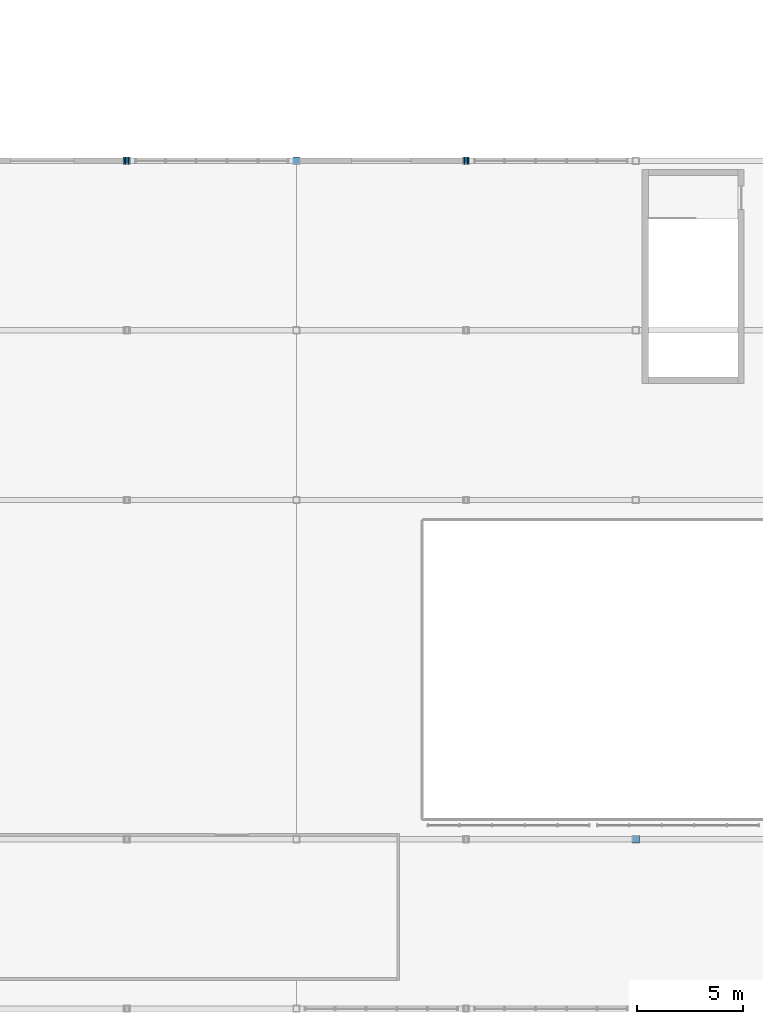
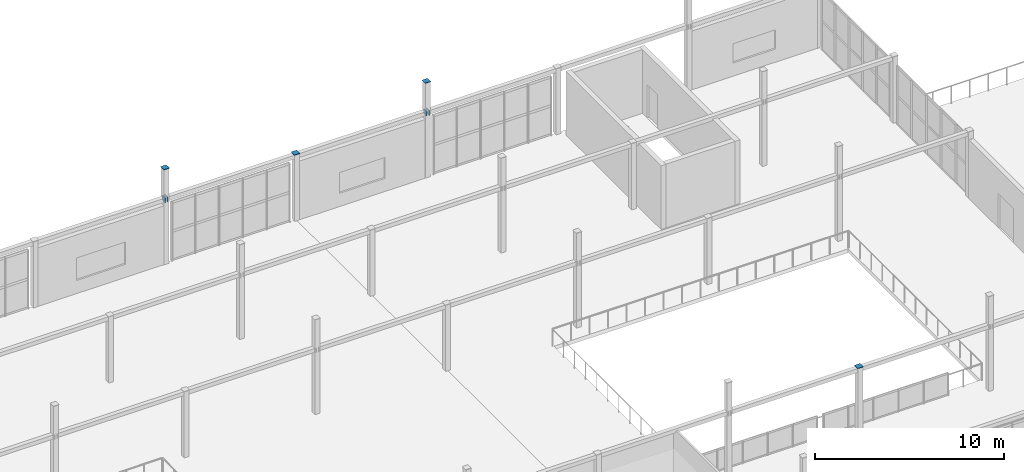
# One storey, part 68 of 83: 8 discrete accessories.
"""IFC4 building model written with IfcOpenShell, lengths in metres."""

from ifc_helpers import new_model, si_unit, direction, frame, origin, origin_2d, place, context, subcontext, project, spatial, rectangle, extrude, material, type_object, element, save


model = new_model("IFC4")

# Units and contexts
model_context = context("Model", 3, precision=1e-05, world=origin(), true_north=direction((0.0, 1.0)))
body_context = subcontext(model_context, "Body", "Model", "MODEL_VIEW")
ifc_project = project(units=[si_unit("LENGTHUNIT", "METRE"), si_unit("AREAUNIT", "SQUARE_METRE"), si_unit("VOLUMEUNIT", "CUBIC_METRE"), si_unit("PLANEANGLEUNIT", "RADIAN"), si_unit("MASSUNIT", "GRAM", prefix="KILO")], contexts=[model_context])

# Site, building, storey
site_placement = place(None, origin())
site = spatial("IfcSite", under=ifc_project, at=site_placement, CompositionType="ELEMENT")
building_placement = place(site_placement, origin())
building = spatial("IfcBuilding", under=site, at=building_placement, Name="Drelvath Fold Interchange", CompositionType="ELEMENT")
storey_placement = place(building_placement, frame((0.0, 0.0, 11.199951171875)))
storey = spatial("IfcBuildingStorey", under=building, at=storey_placement, Name="L02", CompositionType="ELEMENT", Elevation=11.199951171875)

# Discrete accessories
ifc_material = material(Name="Steel ASTM A572 Grade 50", Category="steel")
discrete_accessory_type = type_object("IfcDiscreteAccessoryType", Name="AC-CAP380", PredefinedType="BRACKET", material=ifc_material)
for number, where, z_axis, x_axis, name in (
    (1, (44.0, 99.0, 6.14013671875), (0.0, 0.0, 1.0), (1.0, 0.0, 0.0), "Welded hollow column end cap 64"),
    (2, (52.0, 99.0, 4.2900390625), (0.0, 0.0, 1.0), (1.0, 0.0, 0.0), "Welded hollow column end cap 71"),
    (3, (60.0, 99.0, 6.14013671875), (0.0, 0.0, 1.0), (1.0, 0.0, 0.0), "Welded hollow column end cap 76"),
    (4, (68.0, 67.0, 4.2900390625), (0.0, 0.0, 1.0), (1.0, 0.0, 0.0), "Welded hollow column end cap 78"),
):
    element("IfcDiscreteAccessory", number, at=place(storey_placement, frame(where, z_axis=z_axis, x_axis=x_axis)), inside=storey, type_object=discrete_accessory_type, Name=name, PredefinedType="BRACKET", context=body_context, shape_type="SweptSolid", body=[
        extrude(rectangle(XDim=0.344970703125, YDim=0.344970703125, at=origin_2d()), origin(), (0.0, 0.0, 1.0), 0.030029296875),
    ])
for number, where, z_axis, x_axis, name in (
    (5, (43.925048828125, 99.0, 3.9931640625), (0.0, 0.0, 1.0), (1.0, 0.0, 0.0), "Welded hollow member end cap 391"),
    (6, (44.074951171875, 99.0, 3.9931640625), (0.0, 0.0, 1.0), (1.0, 0.0, 0.0), "Welded hollow member end cap 412"),
    (7, (59.925048828125, 99.0, 3.9931640625), (0.0, 0.0, 1.0), (1.0, 0.0, 0.0), "Welded hollow member end cap 436"),
    (8, (60.074951171875, 99.0, 3.9931640625), (0.0, 0.0, 1.0), (1.0, 0.0, 0.0), "Welded hollow member end cap 457"),
):
    element("IfcDiscreteAccessory", number, at=place(storey_placement, frame(where, z_axis=z_axis, x_axis=x_axis)), inside=storey, type_object=discrete_accessory_type, Name=name, PredefinedType="BRACKET", context=body_context, shape_type="SweptSolid", body=[
        extrude(rectangle(XDim=0.0400390625, YDim=0.31396484375, at=origin_2d()), origin(), (0.0, 0.0, 1.0), 0.31396484375),
    ])

save(model, "model.ifc")
